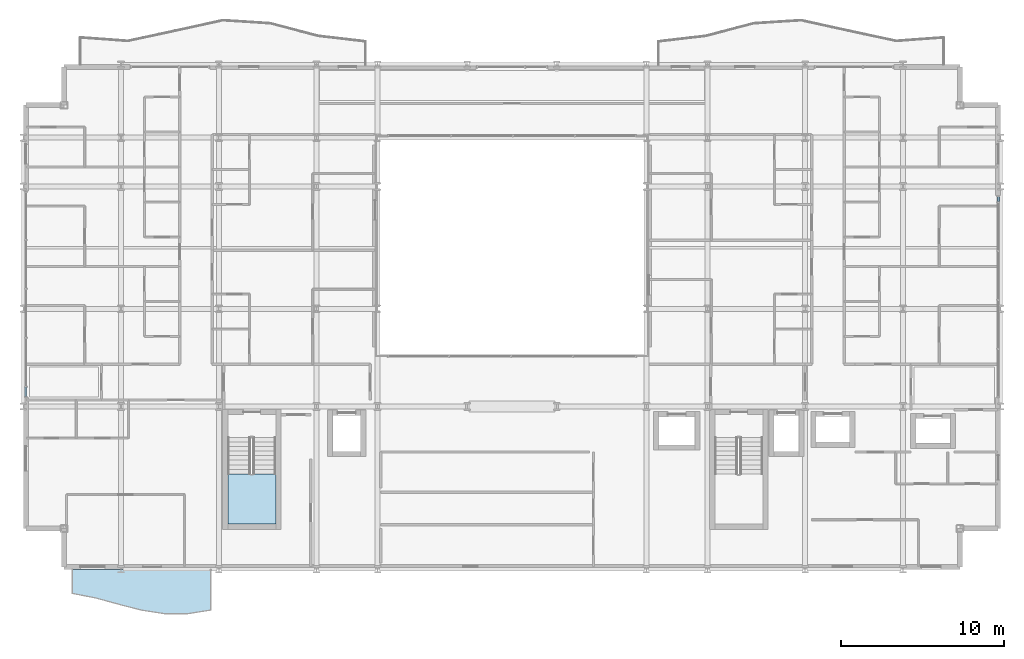
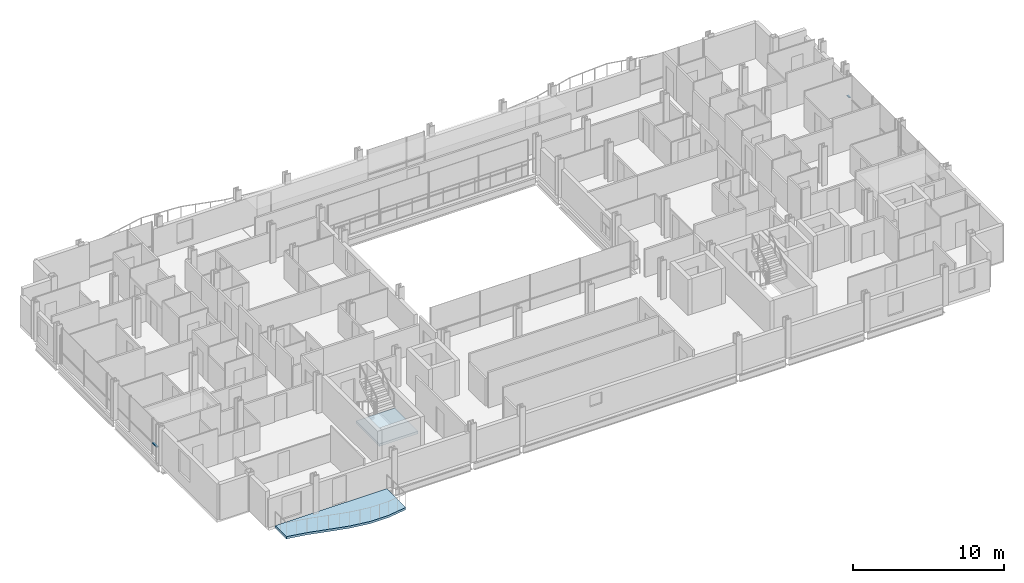
# One storey, part 25 of 40: 2 members, 2 slabs, 3 elements without a shape of their own.
"""IFC4 building model written with IfcOpenShell, lengths in metres."""

from ifc_helpers import new_model, si_unit, direction, frame, origin, origin_2d, place, context, subcontext, project, spatial, polyline, hollow_rectangle, outline, extrude, material, layer, layer_set, material_profile, profile_set, type_object, element, aggregate, save


model = new_model("IFC4")

# Units and contexts
model_context = context("Model", 3, precision=1e-05, world=origin(), true_north=direction((0.0, 1.0)))
body_context = subcontext(model_context, "Body", "Model", "MODEL_VIEW")
ifc_project = project(units=[si_unit("LENGTHUNIT", "METRE"), si_unit("AREAUNIT", "SQUARE_METRE"), si_unit("VOLUMEUNIT", "CUBIC_METRE"), si_unit("PLANEANGLEUNIT", "RADIAN"), si_unit("MASSUNIT", "GRAM", prefix="KILO")], contexts=[model_context])

# Site, building, storey
site_placement = place(None, origin())
site = spatial("IfcSite", under=ifc_project, at=site_placement, CompositionType="ELEMENT")
building_placement = place(site_placement, origin())
building = spatial("IfcBuilding", under=site, at=building_placement, Name="Brevholm Reach", CompositionType="ELEMENT")
storey_placement = place(building_placement, frame((0.0, 0.0, 37.300048828125)))
storey = spatial("IfcBuildingStorey", under=building, at=storey_placement, Name="L09", CompositionType="ELEMENT", Elevation=37.300048828125)

# Curtain wall, member
ifc_material_1 = material(Name="Dark Anodised Aluminium 6063-T6 and Solar-Control Glass", Category="aluminium")
ifc_layer_1 = layer(ifc_material_1, 0.14990234375)
ifc_layer_set_1 = layer_set([ifc_layer_1], Name="Dark Anodised Aluminium 6063-T6 and Solar-Control Glass")
curtain_wall_type = type_object("IfcCurtainWallType", Name="CW-01", PredefinedType="NOTDEFINED", material=ifc_layer_set_1)
curtain_wall_1_placement = place(storey_placement, origin())
curtain_wall_1 = element("IfcCurtainWall", 1, at=curtain_wall_1_placement, inside=storey, type_object=curtain_wall_type, Name="L09 Curtain Wall CW-01", PredefinedType="NOTDEFINED")
ifc_material_2 = material(Name="Dark Anodised Aluminium 6063-T6", Category="aluminium")
ifc_material_profile = material_profile(ifc_material_2, hollow_rectangle(XDim=0.06494140625, YDim=0.14990234375, WallThickness=0.0048828125, InnerFilletRadius=0.0048828125, OuterFilletRadius=0.010009765625, at=origin_2d()), Name="RHS 150x65x5")
ifc_profile_set = profile_set([ifc_material_profile], Name="Dark Anodised Aluminium 6063-T6")
member_type = type_object("IfcMemberType", Name="CWT-150", PredefinedType="NOTDEFINED", material=ifc_profile_set)
member_1_placement = place(storey_placement, frame((0.14990234375, 11.1875, 0.89990234375), z_axis=(0.0, -1.0, 0.0), x_axis=(0.0, 0.0, 1.0)))
member_1 = element("IfcMember", 2, at=member_1_placement, type_object=member_type, Name="CT-150 Transom 5.1", ObjectType="TRANSOM", PredefinedType="USERDEFINED", context=body_context, shape_type="SweptSolid", body=[
    extrude(hollow_rectangle(XDim=0.06494140625, YDim=0.14990234375, WallThickness=0.0048828125, InnerFilletRadius=0.0048828125, OuterFilletRadius=0.010009765625, at=origin_2d()), origin(), (0.0, 0.0, 1.0), 0.572509765625),
])
aggregate(curtain_wall_1, [member_1])

curtain_wall_2_placement = place(storey_placement, origin())
curtain_wall_2 = element("IfcCurtainWall", 3, at=curtain_wall_2_placement, inside=storey, type_object=curtain_wall_type, Name="L09 Curtain Wall CW-01", PredefinedType="NOTDEFINED")
member_2_placement = place(storey_placement, frame((59.85009765625, 22.58251953125, 0.89990234375), z_axis=(0.0, 1.0, 0.0), x_axis=(0.0, 0.0, 1.0)))
member_2 = element("IfcMember", 4, at=member_2_placement, type_object=member_type, Name="CT-150 Transom 5.1", ObjectType="TRANSOM", PredefinedType="USERDEFINED", context=body_context, shape_type="SweptSolid", body=[
    extrude(hollow_rectangle(XDim=0.06494140625, YDim=0.14990234375, WallThickness=0.0048828125, InnerFilletRadius=0.0048828125, OuterFilletRadius=0.010009765625, at=origin_2d()), origin(), (0.0, 0.0, 1.0), 0.302490234375),
])
aggregate(curtain_wall_2, [member_2])

# Slab
ifc_material_3 = material(Name="Precast Concrete C40/50", Category="concrete")
ifc_layer_2 = layer(ifc_material_3, 0.179931640625)
ifc_layer_set_2 = layer_set([ifc_layer_2], Name="Precast Concrete C40/50")
slab_type_1 = type_object("IfcSlabType", Name="SLB-BAL-180", PredefinedType="FLOOR", material=ifc_layer_set_2)
slab_1_placement = place(storey_placement, frame((0.0, 0.0, -0.179931640625)))
element("IfcSlab", 5, at=slab_1_placement, inside=storey, type_object=slab_type_1, Name="L09 Rippling External Balcony SW", PredefinedType="FLOOR", context=body_context, shape_type="SweptSolid", body=[
    extrude(outline(polyline([(3.0, -1.4736328125), (4.416748046875, -1.747802734375), (5.833251953125, -2.1337890625), (7.25, -2.499755859375), (8.666748046875, -2.720458984375), (10.083251953125, -2.720458984375), (11.5, -2.499755859375), (11.5, 0.0), (3.0, 0.0), (3.0, -1.4736328125)])), origin(), (0.0, 0.0, 1.0), 0.179931640625),
])

# Stair, slab
ifc_material_4 = material(Name="Precast Concrete C40/50", Category="concrete")
stair_type = type_object("IfcStairType", Name="STR-ESC-1400", PredefinedType="DOUBLE_RETURN_STAIR", material=ifc_material_4)
stair_placement = place(storey_placement, origin())
stair = element("IfcStair", 6, at=stair_placement, inside=storey, type_object=stair_type, Name="L09 ST-1", PredefinedType="DOUBLE_RETURN_STAIR")
ifc_material_5 = material(Name="Concrete C40/50", Category="concrete")
ifc_layer_3 = layer(ifc_material_5, 0.199951171875)
ifc_layer_set_3 = layer_set([ifc_layer_3], Name="Concrete C40/50")
slab_type_2 = type_object("IfcSlabType", Name="SLB-LND-200", PredefinedType="LANDING", material=ifc_layer_set_3)
slab_2_placement = place(storey_placement, frame((0.0, 0.0, 1.349853515625)))
slab_2 = element("IfcSlab", 7, at=slab_2_placement, type_object=slab_type_2, Name="ST-1 landing 1", PredefinedType="LANDING", context=body_context, shape_type="SweptSolid", body=[
    extrude(outline(polyline([(12.550048828125, 5.860107421875), (12.550048828125, 2.780029296875), (15.5, 2.780029296875), (15.5, 5.860107421875), (12.550048828125, 5.860107421875)])), origin(), (0.0, 0.0, 1.0), 0.2001953125),
])
aggregate(stair, [slab_2])

save(model, "model.ifc")
